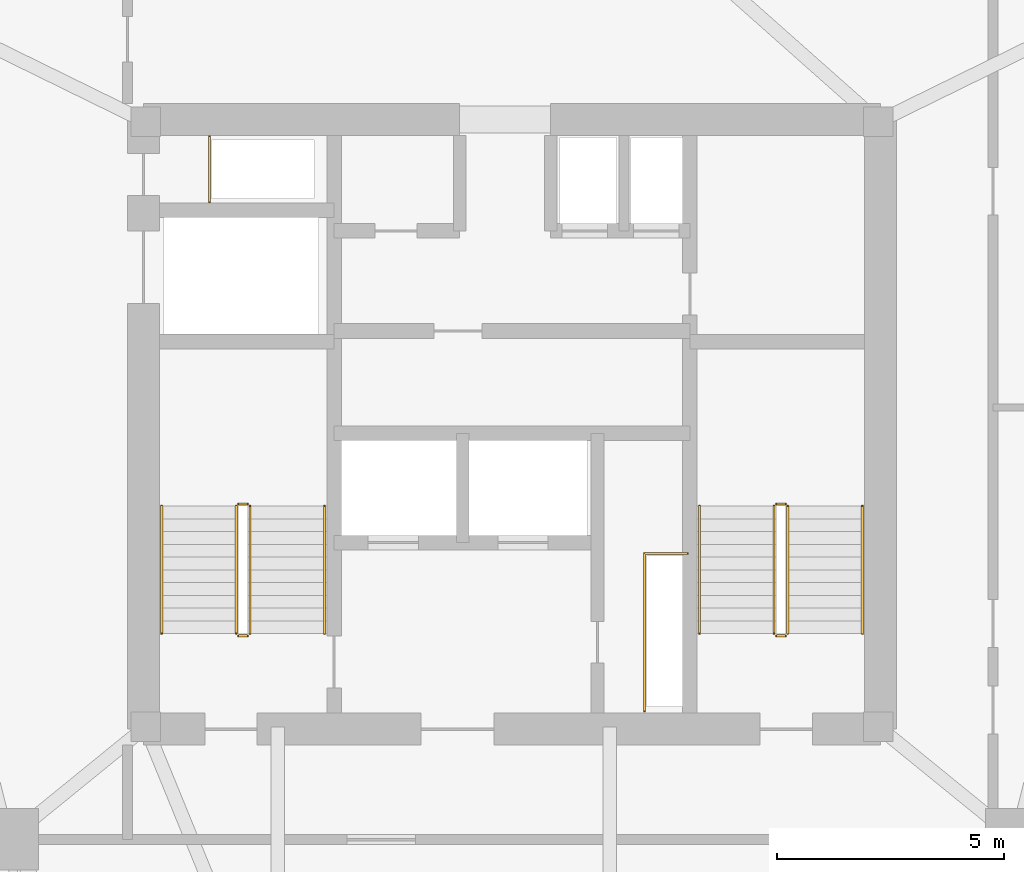
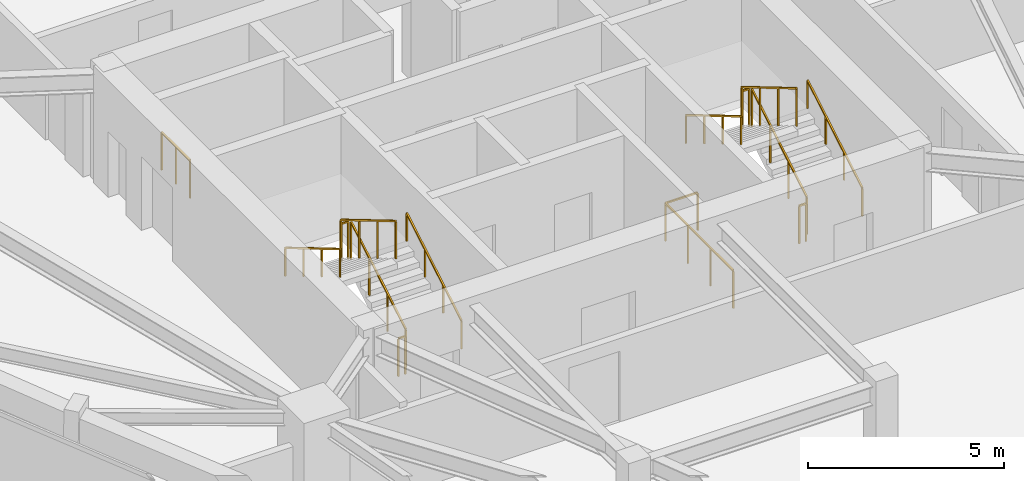
# One storey, part 9 of 9: 14 railings.
"""IFC4 building model written with IfcOpenShell, lengths in metres."""

import ifcopenshell
import ifcopenshell.guid

model = None  # the IFC model being written
_history = None  # IfcOwnerHistory: only IFC2X3 demands one
_inside = {}  # id of a spatial element -> (the spatial element, [elements in it])
_under = {}  # id of a project, library or spatial element -> (it, [spatial elements below it])
_declared = {}  # id of a project -> (the project, [libraries it declares])
_typed = {}  # id of a type object -> (the type object, [elements of that type])
_made_of = {}  # id of a material, layer set ... -> (it, [elements and type objects made of it])


def new_model(schema):
    """Start an empty IFC model of exactly this schema.

    Asked for "IFC4X3", IfcOpenShell would pick the latest addendum, in which some entities
    have other attributes; the version numbers below select the first issue.
    IFC2X3 requires an IfcOwnerHistory on every rooted entity: one is made here for all.
    """
    global model, _history
    if schema == "IFC4X3":
        model = ifcopenshell.file(schema_version=(4, 3, 0, 0))
    else:
        model = ifcopenshell.file(schema=schema)
    _inside.clear()
    _under.clear()
    _declared.clear()
    _typed.clear()
    _made_of.clear()
    _history = None
    if model.schema == "IFC2X3":
        org = make("IfcOrganization", Name="unknown")
        user = make(
            "IfcPersonAndOrganization",
            ThePerson=make("IfcPerson", FamilyName="unknown"),
            TheOrganization=org,
        )
        app = make(
            "IfcApplication",
            ApplicationDeveloper=org,
            Version="unknown",
            ApplicationFullName="unknown",
            ApplicationIdentifier="unknown",
        )
        _history = make(
            "IfcOwnerHistory",
            OwningUser=user,
            OwningApplication=app,
            ChangeAction="ADDED",
            CreationDate=0,
        )
    return model


def make(cls, **values):
    """One entity of the class cls with the attributes given. An attribute that is None is left unset."""
    return model.create_entity(
        cls, **{name: value for name, value in values.items() if value is not None}
    )


def rooted(cls, **values):
    """An entity with a GlobalId (a new one), such as an element, a storey or a relation."""
    return make(cls, GlobalId=ifcopenshell.guid.new(), OwnerHistory=_history, **values)


def si_unit(unit_type, name, prefix=None):
    """IfcSIUnit, for example si_unit("LENGTHUNIT", "METRE", prefix="MILLI")."""
    return make("IfcSIUnit", UnitType=unit_type, Prefix=prefix, Name=name)


def assignment(units):
    """IfcUnitAssignment: the units of a project."""
    return None if units is None else make("IfcUnitAssignment", Units=units)


def point(xyz):
    """IfcCartesianPoint."""
    return None if xyz is None else make("IfcCartesianPoint", Coordinates=xyz)


def direction(xyz):
    """IfcDirection."""
    return None if xyz is None else make("IfcDirection", DirectionRatios=xyz)


def frame(location, z_axis=None, x_axis=None):
    """IfcAxis2Placement3D, a coordinate frame: its origin and axes. An axis left out is left unset."""
    return make(
        "IfcAxis2Placement3D",
        Location=point(location),
        Axis=direction(z_axis),
        RefDirection=direction(x_axis),
    )


def frame_2d(location, x_axis=None):
    """IfcAxis2Placement2D, a coordinate frame in the plane: its origin and x axis."""
    return make(
        "IfcAxis2Placement2D", Location=point(location), RefDirection=direction(x_axis)
    )


def origin():
    """The frame at (0, 0, 0) with its axes left unset."""
    return frame((0.0, 0.0, 0.0))


def origin_2d():
    """The frame at (0, 0) in the plane with its x axis left unset."""
    return frame_2d((0.0, 0.0))


def place(relative_to, where):
    """IfcLocalPlacement: puts the frame where relative to a parent placement (None: the world)."""
    return make(
        "IfcLocalPlacement", PlacementRelTo=relative_to, RelativePlacement=where
    )


def context(
    kind, dimensions, precision=None, world=None, true_north=None, identifier=None
):
    """IfcGeometricRepresentationContext, for example the 3D "Model" context."""
    return make(
        "IfcGeometricRepresentationContext",
        ContextIdentifier=identifier,
        ContextType=kind,
        CoordinateSpaceDimension=dimensions,
        Precision=precision,
        WorldCoordinateSystem=world,
        TrueNorth=true_north,
    )


def subcontext(parent, identifier, kind, view, scale=None):
    """IfcGeometricRepresentationSubContext, for example "Body" below "Model"."""
    return make(
        "IfcGeometricRepresentationSubContext",
        ContextIdentifier=identifier,
        ContextType=kind,
        ParentContext=parent,
        TargetScale=scale,
        TargetView=view,
    )


def project(units=None, contexts=None):
    """IfcProject with its units and contexts."""
    return rooted(
        "IfcProject",
        Name="project",
        RepresentationContexts=contexts,
        UnitsInContext=assignment(units),
    )


def spatial(cls, under=None, at=None, **own):
    """A site, building, storey or space (cls), placed at a placement, below another one or the project."""
    s = rooted(cls, ObjectPlacement=at, **own)
    if under is not None:
        _under.setdefault(under.id(), (under, []))[1].append(s)
    return s


def profile(cls, at=None, kind="AREA", **sizes):
    """A parametric profile (cls). Its sizes go by their IFC names, for example OverallWidth=200.0."""
    return make(cls, ProfileType=kind, Position=at, **sizes)


def rectangle(**sizes):
    """IfcRectangleProfileDef."""
    return profile("IfcRectangleProfileDef", **sizes)


def extrude(swept, where, along, depth):
    """IfcExtrudedAreaSolid: the profile swept, set in the frame where, extruded along a direction by depth."""
    return make(
        "IfcExtrudedAreaSolid",
        SweptArea=swept,
        Position=where,
        ExtrudedDirection=direction(along),
        Depth=depth,
    )


def shape(context_of_items, identifier, shape_type, items):
    """IfcShapeRepresentation: the items that make up one representation, for example the "Body"."""
    return make(
        "IfcShapeRepresentation",
        ContextOfItems=context_of_items,
        RepresentationIdentifier=identifier,
        RepresentationType=shape_type,
        Items=items,
    )


def material(Name=None, Category=None):
    """IfcMaterial."""
    return make("IfcMaterial", Name=Name, Category=Category)


def made_of(thing, what):
    """Note that an element or type object is made of a material, layer set ...; save() writes the relation."""
    if what is not None:
        _made_of.setdefault(what.id(), (what, []))[1].append(thing)
    return thing


def type_object(cls, material=None, **own):
    """A type object (cls), such as IfcWallType, which elements share."""
    return made_of(rooted(cls, **own), material)


def element(
    cls,
    number,
    at=None,
    inside=None,
    cuts=None,
    type_object=None,
    material=None,
    context=None,
    identifier="Body",
    shape_type=None,
    held_by="IfcProductDefinitionShape",
    body=None,
    shapes=None,
    **own,
):
    """One element of the class cls, such as IfcWall. Its Tag is "e" and its number.

    at: its placement. inside: the storey or other place that contains it. cuts: it is an
    opening in that element (IfcRelVoidsElement). A single representation is given by context,
    identifier, shape_type and body (its items); several are given by shapes. held_by: the class
    of the entity that holds the representations. save() writes the other relations.
    """
    e = rooted(cls, Tag="e%d" % number, ObjectPlacement=at, **own)
    if body is not None:
        shapes = [shape(context, identifier, shape_type, body)]
    if shapes is not None:
        e.Representation = make(held_by, Representations=shapes)
    if inside is not None:
        _inside.setdefault(inside.id(), (inside, []))[1].append(e)
    if cuts is not None:
        rooted(
            "IfcRelVoidsElement", RelatingBuildingElement=cuts, RelatedOpeningElement=e
        )
    if type_object is not None:
        _typed.setdefault(type_object.id(), (type_object, []))[1].append(e)
    return made_of(e, material)


def aggregate(whole, parts):
    """IfcRelAggregates: a whole, such as a stair, and the parts it consists of."""
    return rooted("IfcRelAggregates", RelatingObject=whole, RelatedObjects=parts)


def save(model, path):
    """Write the relations noted so far, then the file.

    IfcRelAggregates (storeys below a building ...), IfcRelContainedInSpatialStructure (elements
    in a storey), IfcRelDefinesByType, IfcRelAssociatesMaterial and IfcRelDeclares: one each for
    every whole, place, type object, material and project.
    """
    for whole, parts in _under.values():
        aggregate(whole, parts)
    for where, things in _inside.values():
        rooted(
            "IfcRelContainedInSpatialStructure",
            RelatedElements=things,
            RelatingStructure=where,
        )
    for kind, things in _typed.values():
        rooted("IfcRelDefinesByType", RelatedObjects=things, RelatingType=kind)
    for what, things in _made_of.values():
        rooted("IfcRelAssociatesMaterial", RelatedObjects=things, RelatingMaterial=what)
    for by, libraries in _declared.values():
        rooted("IfcRelDeclares", RelatingContext=by, RelatedDefinitions=libraries)
    model.write(path)


model = new_model("IFC4")

# Units and contexts
model_context = context("Model", 3, precision=1e-05, world=origin(), true_north=direction((0.0, 1.0)))
body_context = subcontext(model_context, "Body", "Model", "MODEL_VIEW")
ifc_project = project(units=[si_unit("LENGTHUNIT", "METRE"), si_unit("AREAUNIT", "SQUARE_METRE"), si_unit("VOLUMEUNIT", "CUBIC_METRE"), si_unit("PLANEANGLEUNIT", "RADIAN"), si_unit("MASSUNIT", "GRAM", prefix="KILO")], contexts=[model_context])

# Site, building, storey
site_placement = place(None, origin())
site = spatial("IfcSite", under=ifc_project, at=site_placement, CompositionType="ELEMENT")
building_placement = place(site_placement, origin())
building = spatial("IfcBuilding", under=site, at=building_placement, Name="Talyreon Biosciences Tower", CompositionType="ELEMENT")
storey_placement = place(building_placement, frame((0.0, 0.0, 208.60009765625)))
storey = spatial("IfcBuildingStorey", under=building, at=storey_placement, Name="L55", CompositionType="ELEMENT", Elevation=208.60009765625)

# Railings
ifc_material_1 = material(Name="Brushed stainless-steel tubular handrail", Category="steel")
railing_type_1 = type_object("IfcRailingType", Name="StairWallHandrail_900", PredefinedType="HANDRAIL", material=ifc_material_1)
railing_1_placement = place(storey_placement, frame((61.8798828125, 63.39990234375, 0.165771484375)))
element("IfcRailing", 1, at=railing_1_placement, inside=storey, type_object=railing_type_1, Name="L55 ST-1 stair handrail 1", PredefinedType="HANDRAIL", context=body_context, shape_type="SweptSolid", body=[
    extrude(rectangle(XDim=0.048095703125, YDim=0.048095703125, at=origin_2d()), frame((0.0, 0.0, 0.8759765625), z_axis=(0.0, 0.860306154799, 0.50977771628), x_axis=(-1.0, 0.0, 0.0)), (0.0, 0.0, 1.0), 3.254638671875),
    extrude(rectangle(XDim=0.0419921875, YDim=0.0419921875, at=origin_2d()), origin(), (0.0, 0.0, 1.0), 0.851806640625),
    extrude(rectangle(XDim=0.0419921875, YDim=0.0419921875, at=origin_2d()), frame((0.0, 0.933349609375, 0.552978515625)), (0.0, 0.0, 1.0), 0.851806640625),
    extrude(rectangle(XDim=0.0419921875, YDim=0.0419921875, at=origin_2d()), frame((0.0, 1.86669921875, 1.106201171875)), (0.0, 0.0, 1.0), 0.851806640625),
    extrude(rectangle(XDim=0.0419921875, YDim=0.0419921875, at=origin_2d()), frame((0.0, 2.800048828125, 1.6591796875)), (0.0, 0.0, 1.0), 0.851806640625),
])
railing_2_placement = place(storey_placement, frame((58.300048828125, 66.199951171875, 1.99072265625)))
element("IfcRailing", 2, at=railing_2_placement, inside=storey, type_object=railing_type_1, Name="L55 ST-1 stair handrail 2", PredefinedType="HANDRAIL", context=body_context, shape_type="SweptSolid", body=[
    extrude(rectangle(XDim=0.048095703125, YDim=0.048095703125, at=origin_2d()), frame((0.0, 0.0, 0.8759765625), z_axis=(0.0, -0.860306154799, 0.50977771628), x_axis=(1.0, 0.0, 0.0)), (0.0, 0.0, 1.0), 3.254638671875),
    extrude(rectangle(XDim=0.0419921875, YDim=0.0419921875, at=origin_2d()), origin(), (0.0, 0.0, 1.0), 0.851806640625),
    extrude(rectangle(XDim=0.0419921875, YDim=0.0419921875, at=origin_2d()), frame((0.0, -0.933349609375, 0.552978515625)), (0.0, 0.0, 1.0), 0.851806640625),
    extrude(rectangle(XDim=0.0419921875, YDim=0.0419921875, at=origin_2d()), frame((0.0, -1.86669921875, 1.106201171875)), (0.0, 0.0, 1.0), 0.851806640625),
    extrude(rectangle(XDim=0.0419921875, YDim=0.0419921875, at=origin_2d()), frame((0.0, -2.800048828125, 1.6591796875)), (0.0, 0.0, 1.0), 0.851806640625),
])
railing_3_placement = place(storey_placement, frame((73.699951171875, 63.39990234375, 0.165771484375)))
element("IfcRailing", 3, at=railing_3_placement, inside=storey, type_object=railing_type_1, Name="L55 ST-2 stair handrail 1", PredefinedType="HANDRAIL", context=body_context, shape_type="SweptSolid", body=[
    extrude(rectangle(XDim=0.048095703125, YDim=0.048095703125, at=origin_2d()), frame((0.0, 0.0, 0.8759765625), z_axis=(0.0, 0.860306154799, 0.50977771628), x_axis=(-1.0, 0.0, 0.0)), (0.0, 0.0, 1.0), 3.254638671875),
    extrude(rectangle(XDim=0.0419921875, YDim=0.0419921875, at=origin_2d()), origin(), (0.0, 0.0, 1.0), 0.851806640625),
    extrude(rectangle(XDim=0.0419921875, YDim=0.0419921875, at=origin_2d()), frame((0.0, 0.933349609375, 0.552978515625)), (0.0, 0.0, 1.0), 0.851806640625),
    extrude(rectangle(XDim=0.0419921875, YDim=0.0419921875, at=origin_2d()), frame((0.0, 1.86669921875, 1.106201171875)), (0.0, 0.0, 1.0), 0.851806640625),
    extrude(rectangle(XDim=0.0419921875, YDim=0.0419921875, at=origin_2d()), frame((0.0, 2.800048828125, 1.6591796875)), (0.0, 0.0, 1.0), 0.851806640625),
])
railing_4_placement = place(storey_placement, frame((70.1201171875, 66.199951171875, 1.99072265625)))
element("IfcRailing", 4, at=railing_4_placement, inside=storey, type_object=railing_type_1, Name="L55 ST-2 stair handrail 2", PredefinedType="HANDRAIL", context=body_context, shape_type="SweptSolid", body=[
    extrude(rectangle(XDim=0.048095703125, YDim=0.048095703125, at=origin_2d()), frame((0.0, 0.0, 0.8759765625), z_axis=(0.0, -0.860306154799, 0.50977771628), x_axis=(1.0, 0.0, 0.0)), (0.0, 0.0, 1.0), 3.254638671875),
    extrude(rectangle(XDim=0.0419921875, YDim=0.0419921875, at=origin_2d()), origin(), (0.0, 0.0, 1.0), 0.851806640625),
    extrude(rectangle(XDim=0.0419921875, YDim=0.0419921875, at=origin_2d()), frame((0.0, -0.933349609375, 0.552978515625)), (0.0, 0.0, 1.0), 0.851806640625),
    extrude(rectangle(XDim=0.0419921875, YDim=0.0419921875, at=origin_2d()), frame((0.0, -1.86669921875, 1.106201171875)), (0.0, 0.0, 1.0), 0.851806640625),
    extrude(rectangle(XDim=0.0419921875, YDim=0.0419921875, at=origin_2d()), frame((0.0, -2.800048828125, 1.6591796875)), (0.0, 0.0, 1.0), 0.851806640625),
])
ifc_material_2 = material(Name="Painted galvanised steel post-and-rail balustrade", Category="steel")
railing_type_2 = type_object("IfcRailingType", Name="TerraceStairGuard_1200", PredefinedType="GUARDRAIL", material=ifc_material_2)
railing_5_placement = place(storey_placement, frame((60.239990234375, 63.39990234375, 0.165771484375)))
element("IfcRailing", 5, at=railing_5_placement, inside=storey, type_object=railing_type_2, Name="L55 ST-1 stair guard 1", PredefinedType="GUARDRAIL", context=body_context, shape_type="SweptSolid", body=[
    extrude(rectangle(XDim=0.048095703125, YDim=0.048095703125, at=origin_2d()), frame((0.0, 0.0, 1.17578125), z_axis=(0.0, 0.860306154799, 0.50977771628), x_axis=(-1.0, 0.0, 0.0)), (0.0, 0.0, 1.0), 3.254638671875),
    extrude(rectangle(XDim=0.0419921875, YDim=0.0419921875, at=origin_2d()), origin(), (0.0, 0.0, 1.0), 1.15185546875),
    extrude(rectangle(XDim=0.0419921875, YDim=0.0419921875, at=origin_2d()), frame((0.0, 0.933349609375, 0.552978515625)), (0.0, 0.0, 1.0), 1.15185546875),
    extrude(rectangle(XDim=0.0419921875, YDim=0.0419921875, at=origin_2d()), frame((0.0, 1.86669921875, 1.106201171875)), (0.0, 0.0, 1.0), 1.15185546875),
    extrude(rectangle(XDim=0.0419921875, YDim=0.0419921875, at=origin_2d()), frame((0.0, 2.800048828125, 1.6591796875)), (0.0, 0.0, 1.0), 1.15185546875),
])
railing_6_placement = place(storey_placement, frame((60.18994140625, 66.25, 1.824951171875)))
element("IfcRailing", 6, at=railing_6_placement, inside=storey, type_object=railing_type_2, Name="L55 ST-1 stair guard 2", PredefinedType="GUARDRAIL", context=body_context, shape_type="SweptSolid", body=[
    extrude(rectangle(XDim=0.048095703125, YDim=0.048095703125, at=origin_2d()), frame((0.0, 0.0, 1.17578125), z_axis=(-1.0, 0.0, 0.0), x_axis=(0.0, -1.0, 0.0)), (0.0, 0.0, 1.0), 0.199951171875),
    extrude(rectangle(XDim=0.0419921875, YDim=0.0419921875, at=origin_2d()), origin(), (0.0, 0.0, 1.0), 1.15185546875),
    extrude(rectangle(XDim=0.0419921875, YDim=0.0419921875, at=origin_2d()), frame((-0.199951171875, 0.0, 0.0)), (0.0, 0.0, 1.0), 1.15185546875),
])
railing_7_placement = place(storey_placement, frame((59.93994140625, 66.199951171875, 1.99072265625)))
element("IfcRailing", 7, at=railing_7_placement, inside=storey, type_object=railing_type_2, Name="L55 ST-1 stair guard 3", PredefinedType="GUARDRAIL", context=body_context, shape_type="SweptSolid", body=[
    extrude(rectangle(XDim=0.048095703125, YDim=0.048095703125, at=origin_2d()), frame((0.0, 0.0, 1.17578125), z_axis=(0.0, -0.860306154799, 0.50977771628), x_axis=(1.0, 0.0, 0.0)), (0.0, 0.0, 1.0), 3.254638671875),
    extrude(rectangle(XDim=0.0419921875, YDim=0.0419921875, at=origin_2d()), origin(), (0.0, 0.0, 1.0), 1.15185546875),
    extrude(rectangle(XDim=0.0419921875, YDim=0.0419921875, at=origin_2d()), frame((0.0, -0.933349609375, 0.552978515625)), (0.0, 0.0, 1.0), 1.15185546875),
    extrude(rectangle(XDim=0.0419921875, YDim=0.0419921875, at=origin_2d()), frame((0.0, -1.86669921875, 1.106201171875)), (0.0, 0.0, 1.0), 1.15185546875),
    extrude(rectangle(XDim=0.0419921875, YDim=0.0419921875, at=origin_2d()), frame((0.0, -2.800048828125, 1.6591796875)), (0.0, 0.0, 1.0), 1.15185546875),
])
railing_8_placement = place(storey_placement, frame((60.18994140625, 63.35009765625, 0.0)))
element("IfcRailing", 8, at=railing_8_placement, inside=storey, type_object=railing_type_2, Name="L55 ST-1 stair guard 4", PredefinedType="GUARDRAIL", context=body_context, shape_type="SweptSolid", body=[
    extrude(rectangle(XDim=0.048095703125, YDim=0.048095703125, at=origin_2d()), frame((0.0, 0.0, 1.17578125), z_axis=(-1.0, 0.0, 0.0), x_axis=(0.0, -1.0, 0.0)), (0.0, 0.0, 1.0), 0.199951171875),
    extrude(rectangle(XDim=0.0419921875, YDim=0.0419921875, at=origin_2d()), origin(), (0.0, 0.0, 1.0), 1.15185546875),
    extrude(rectangle(XDim=0.0419921875, YDim=0.0419921875, at=origin_2d()), frame((-0.199951171875, 0.0, 0.0)), (0.0, 0.0, 1.0), 1.15185546875),
])
railing_9_placement = place(storey_placement, frame((72.06005859375, 63.39990234375, 0.165771484375)))
element("IfcRailing", 9, at=railing_9_placement, inside=storey, type_object=railing_type_2, Name="L55 ST-2 stair guard 1", PredefinedType="GUARDRAIL", context=body_context, shape_type="SweptSolid", body=[
    extrude(rectangle(XDim=0.048095703125, YDim=0.048095703125, at=origin_2d()), frame((0.0, 0.0, 1.17578125), z_axis=(0.0, 0.860306154799, 0.50977771628), x_axis=(-1.0, 0.0, 0.0)), (0.0, 0.0, 1.0), 3.254638671875),
    extrude(rectangle(XDim=0.0419921875, YDim=0.0419921875, at=origin_2d()), origin(), (0.0, 0.0, 1.0), 1.15185546875),
    extrude(rectangle(XDim=0.0419921875, YDim=0.0419921875, at=origin_2d()), frame((0.0, 0.933349609375, 0.552978515625)), (0.0, 0.0, 1.0), 1.15185546875),
    extrude(rectangle(XDim=0.0419921875, YDim=0.0419921875, at=origin_2d()), frame((0.0, 1.86669921875, 1.106201171875)), (0.0, 0.0, 1.0), 1.15185546875),
    extrude(rectangle(XDim=0.0419921875, YDim=0.0419921875, at=origin_2d()), frame((0.0, 2.800048828125, 1.6591796875)), (0.0, 0.0, 1.0), 1.15185546875),
])
railing_10_placement = place(storey_placement, frame((72.010009765625, 66.25, 1.824951171875)))
element("IfcRailing", 10, at=railing_10_placement, inside=storey, type_object=railing_type_2, Name="L55 ST-2 stair guard 2", PredefinedType="GUARDRAIL", context=body_context, shape_type="SweptSolid", body=[
    extrude(rectangle(XDim=0.048095703125, YDim=0.048095703125, at=origin_2d()), frame((0.0, 0.0, 1.17578125), z_axis=(-1.0, 0.0, 0.0), x_axis=(0.0, -1.0, 0.0)), (0.0, 0.0, 1.0), 0.199951171875),
    extrude(rectangle(XDim=0.0419921875, YDim=0.0419921875, at=origin_2d()), origin(), (0.0, 0.0, 1.0), 1.15185546875),
    extrude(rectangle(XDim=0.0419921875, YDim=0.0419921875, at=origin_2d()), frame((-0.199951171875, 0.0, 0.0)), (0.0, 0.0, 1.0), 1.15185546875),
])
railing_11_placement = place(storey_placement, frame((71.760009765625, 66.199951171875, 1.99072265625)))
element("IfcRailing", 11, at=railing_11_placement, inside=storey, type_object=railing_type_2, Name="L55 ST-2 stair guard 3", PredefinedType="GUARDRAIL", context=body_context, shape_type="SweptSolid", body=[
    extrude(rectangle(XDim=0.048095703125, YDim=0.048095703125, at=origin_2d()), frame((0.0, 0.0, 1.17578125), z_axis=(0.0, -0.860306154799, 0.50977771628), x_axis=(1.0, 0.0, 0.0)), (0.0, 0.0, 1.0), 3.254638671875),
    extrude(rectangle(XDim=0.0419921875, YDim=0.0419921875, at=origin_2d()), origin(), (0.0, 0.0, 1.0), 1.15185546875),
    extrude(rectangle(XDim=0.0419921875, YDim=0.0419921875, at=origin_2d()), frame((0.0, -0.933349609375, 0.552978515625)), (0.0, 0.0, 1.0), 1.15185546875),
    extrude(rectangle(XDim=0.0419921875, YDim=0.0419921875, at=origin_2d()), frame((0.0, -1.86669921875, 1.106201171875)), (0.0, 0.0, 1.0), 1.15185546875),
    extrude(rectangle(XDim=0.0419921875, YDim=0.0419921875, at=origin_2d()), frame((0.0, -2.800048828125, 1.6591796875)), (0.0, 0.0, 1.0), 1.15185546875),
])
railing_12_placement = place(storey_placement, frame((72.010009765625, 63.35009765625, 0.0)))
element("IfcRailing", 12, at=railing_12_placement, inside=storey, type_object=railing_type_2, Name="L55 ST-2 stair guard 4", PredefinedType="GUARDRAIL", context=body_context, shape_type="SweptSolid", body=[
    extrude(rectangle(XDim=0.048095703125, YDim=0.048095703125, at=origin_2d()), frame((0.0, 0.0, 1.17578125), z_axis=(-1.0, 0.0, 0.0), x_axis=(0.0, -1.0, 0.0)), (0.0, 0.0, 1.0), 0.199951171875),
    extrude(rectangle(XDim=0.0419921875, YDim=0.0419921875, at=origin_2d()), origin(), (0.0, 0.0, 1.0), 1.15185546875),
    extrude(rectangle(XDim=0.0419921875, YDim=0.0419921875, at=origin_2d()), frame((-0.199951171875, 0.0, 0.0)), (0.0, 0.0, 1.0), 1.15185546875),
])
railing_13_placement = place(storey_placement, frame((59.35009765625, 72.8798828125, 0.0)))
element("IfcRailing", 13, at=railing_13_placement, inside=storey, type_object=railing_type_2, Name="L55 Exhaust Riser Maintenance Guardrail", PredefinedType="GUARDRAIL", context=body_context, shape_type="SweptSolid", body=[
    extrude(rectangle(XDim=0.048095703125, YDim=0.048095703125, at=origin_2d()), frame((0.0, 0.0, 1.17578125), z_axis=(0.0, 1.0, 0.0), x_axis=(-1.0, 0.0, 0.0)), (0.0, 0.0, 1.0), 1.4501953125),
    extrude(rectangle(XDim=0.0419921875, YDim=0.0419921875, at=origin_2d()), origin(), (0.0, 0.0, 1.0), 1.15185546875),
    extrude(rectangle(XDim=0.0419921875, YDim=0.0419921875, at=origin_2d()), frame((0.0, 0.72509765625, 0.0)), (0.0, 0.0, 1.0), 1.15185546875),
    extrude(rectangle(XDim=0.0419921875, YDim=0.0419921875, at=origin_2d()), frame((0.0, 1.4501953125, 0.0)), (0.0, 0.0, 1.0), 1.15185546875),
])
railing_14_placement = place(storey_placement, frame((68.909912109375, 61.699951171875, 0.0)))
element("IfcRailing", 14, at=railing_14_placement, inside=storey, type_object=railing_type_2, Name="L55 Electrical Riser Maintenance Guardrail", PredefinedType="GUARDRAIL", context=body_context, shape_type="SweptSolid", body=[
    extrude(rectangle(XDim=0.048095703125, YDim=0.048095703125, at=origin_2d()), frame((0.0, 0.0, 1.17578125), z_axis=(0.0, 1.0, 0.0), x_axis=(-1.0, 0.0, 0.0)), (0.0, 0.0, 1.0), 3.4599609375),
    extrude(rectangle(XDim=0.048095703125, YDim=0.048095703125, at=origin_2d()), frame((0.0, 3.4599609375, 1.17578125), z_axis=(1.0, 0.0, 0.0), x_axis=(0.0, 1.0, 0.0)), (0.0, 0.0, 1.0), 0.9501953125),
    extrude(rectangle(XDim=0.0419921875, YDim=0.0419921875, at=origin_2d()), origin(), (0.0, 0.0, 1.0), 1.15185546875),
    extrude(rectangle(XDim=0.0419921875, YDim=0.0419921875, at=origin_2d()), frame((0.0, 1.1533203125, 0.0)), (0.0, 0.0, 1.0), 1.15185546875),
    extrude(rectangle(XDim=0.0419921875, YDim=0.0419921875, at=origin_2d()), frame((0.0, 2.306640625, 0.0)), (0.0, 0.0, 1.0), 1.15185546875),
    extrude(rectangle(XDim=0.0419921875, YDim=0.0419921875, at=origin_2d()), frame((0.0, 3.4599609375, 0.0)), (0.0, 0.0, 1.0), 1.15185546875),
    extrude(rectangle(XDim=0.0419921875, YDim=0.0419921875, at=origin_2d()), frame((0.9501953125, 3.4599609375, 0.0)), (0.0, 0.0, 1.0), 1.15185546875),
])

save(model, "model.ifc")
